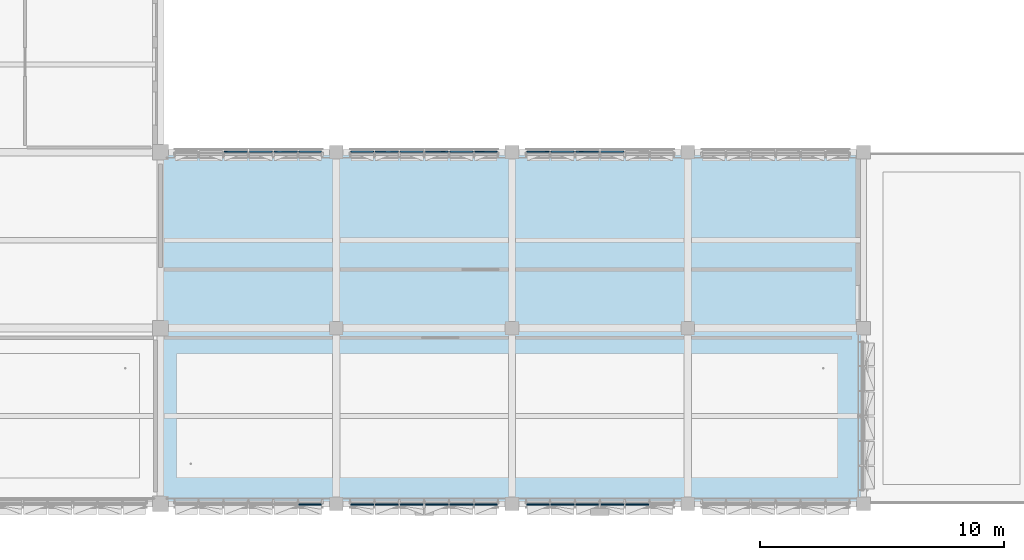
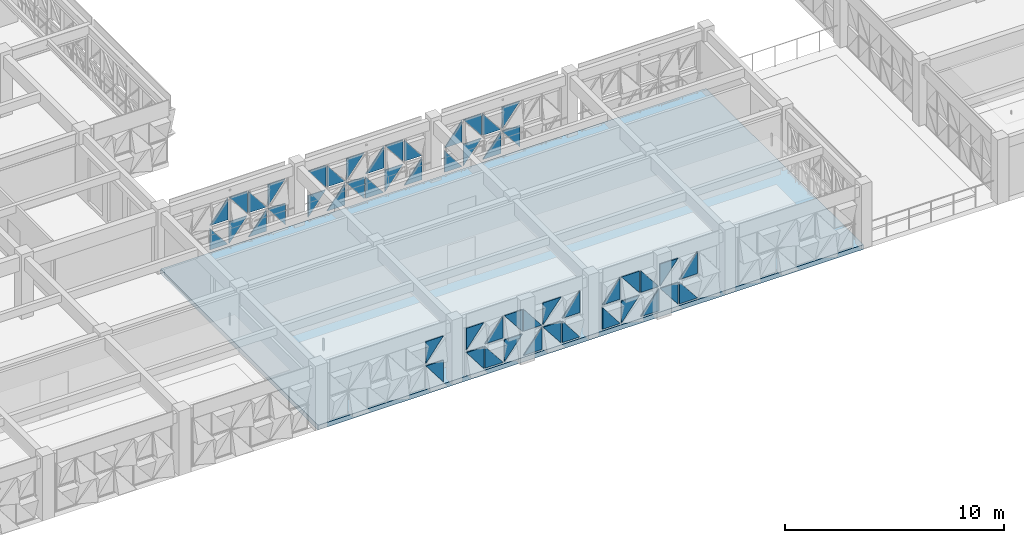
# One storey, part 31 of 85: 52 plates, 1 slab, 6 elements without a shape of their own.
"""IFC4 building model written with IfcOpenShell, lengths in metres."""

from ifc_helpers import new_model, si_unit, direction, frame, origin, place, context, subcontext, project, spatial, polyline, outline, extrude, material, layer, layer_set, type_object, element, aggregate, save


model = new_model("IFC4")

# Units and contexts
model_context = context("Model", 3, precision=1e-05, world=origin(), true_north=direction((0.0, 1.0)))
body_context = subcontext(model_context, "Body", "Model", "MODEL_VIEW")
ifc_project = project(units=[si_unit("LENGTHUNIT", "METRE"), si_unit("AREAUNIT", "SQUARE_METRE"), si_unit("VOLUMEUNIT", "CUBIC_METRE"), si_unit("PLANEANGLEUNIT", "RADIAN"), si_unit("MASSUNIT", "GRAM", prefix="KILO")], contexts=[model_context])

# Site, building, storey
site_placement = place(None, origin())
site = spatial("IfcSite", under=ifc_project, at=site_placement, CompositionType="ELEMENT")
building_placement = place(site_placement, origin())
building = spatial("IfcBuilding", under=site, at=building_placement, Name="Alvorim Cloister Faculty of Sciences", CompositionType="ELEMENT")
storey_placement = place(building_placement, frame((0.0, 0.0, 8.550048828125)))
storey = spatial("IfcBuildingStorey", under=building, at=storey_placement, Name="L02", CompositionType="ELEMENT", Elevation=8.550048828125)

# Curtain wall, plates
ifc_material_1 = material(Name="Aluminium and Low-E Glass Curtain Wall", Category="aluminium")
curtain_wall_type = type_object("IfcCurtainWallType", Name="CW-TRI-6120x2850", PredefinedType="USERDEFINED", material=ifc_material_1)
curtain_wall_1_placement = place(storey_placement, origin())
curtain_wall_1 = element("IfcCurtainWall", 1, at=curtain_wall_1_placement, inside=storey, type_object=curtain_wall_type, Name="L02 Diagonal Cassette Curtain Wall CW-0075", ObjectType="UNITISED CURTAIN WALL", PredefinedType="USERDEFINED")
ifc_material_2 = material(Name="Double Low-E Laminated Glass", Category="glass")
ifc_layer_1 = layer(ifc_material_2, 0.0400390625)
ifc_layer_set_1 = layer_set([ifc_layer_1], Name="Double Low-E Laminated Glass")
plate_type = type_object("IfcPlateType", Name="PN-GLZ-40", PredefinedType="CURTAIN_PANEL", material=ifc_layer_set_1)
plate_1_placement = place(storey_placement, frame((31.41259765625, 14.425048828125, 0.139892578125), z_axis=(0.0, 0.0, 1.0), x_axis=(1.0, 0.0, 0.0)))
plate_1 = element("IfcPlate", 2, at=plate_1_placement, type_object=plate_type, Name="Diagonal Glazed Triangle TRI-BL", PredefinedType="CURTAIN_PANEL", context=body_context, shape_type="SweptSolid", body=[
    extrude(outline(polyline([(0.0, 0.0), (0.953125, 0.0), (0.0, 1.213134765625), (0.0, 0.0)])), frame((0.0, 0.02490234375, 0.0), z_axis=(0.0, -1.0, 0.0), x_axis=(1.0, 0.0, 0.0)), (0.0, 0.0, 1.0), 0.050048828125),
])
plate_2_placement = place(storey_placement, frame((31.41259765625, 14.425048828125, 1.494873046875), z_axis=(0.0, 0.0, 1.0), x_axis=(1.0, 0.0, 0.0)))
plate_2 = element("IfcPlate", 3, at=plate_2_placement, type_object=plate_type, Name="Diagonal Glazed Triangle TRI-BR", PredefinedType="CURTAIN_PANEL", context=body_context, shape_type="SweptSolid", body=[
    extrude(outline(polyline([(0.001953125, 0.0), (0.955078125, 0.0), (0.955078125, 1.213134765625), (0.001953125, 0.0)])), frame((0.0, 0.02490234375, 0.0), z_axis=(0.0, -1.0, 0.0), x_axis=(1.0, 0.0, 0.0)), (0.0, 0.0, 1.0), 0.050048828125),
])
plate_3_placement = place(storey_placement, frame((32.4326171875, 14.425048828125, 0.139892578125), z_axis=(0.0, 0.0, 1.0), x_axis=(1.0, 0.0, 0.0)))
plate_3 = element("IfcPlate", 4, at=plate_3_placement, type_object=plate_type, Name="Diagonal Glazed Triangle TRI-TL", PredefinedType="CURTAIN_PANEL", context=body_context, shape_type="SweptSolid", body=[
    extrude(outline(polyline([(0.953125, 1.215087890625), (0.0, 1.215087890625), (0.0, 0.001953125), (0.953125, 1.215087890625)])), frame((0.0, 0.02490234375, 0.0), z_axis=(0.0, -1.0, 0.0), x_axis=(1.0, 0.0, 0.0)), (0.0, 0.0, 1.0), 0.050048828125),
])
plate_4_placement = place(storey_placement, frame((32.4326171875, 14.425048828125, 1.494873046875), z_axis=(0.0, 0.0, 1.0), x_axis=(1.0, 0.0, 0.0)))
plate_4 = element("IfcPlate", 5, at=plate_4_placement, type_object=plate_type, Name="Diagonal Glazed Triangle TRI-TR", PredefinedType="CURTAIN_PANEL", context=body_context, shape_type="SweptSolid", body=[
    extrude(outline(polyline([(0.955078125, 0.001953125), (0.955078125, 1.215087890625), (0.001953125, 1.215087890625), (0.955078125, 0.001953125)])), frame((0.0, 0.02490234375, 0.0), z_axis=(0.0, -1.0, 0.0), x_axis=(1.0, 0.0, 0.0)), (0.0, 0.0, 1.0), 0.050048828125),
])
plate_5_placement = place(storey_placement, frame((33.452392578125, 14.425048828125, 0.139892578125), z_axis=(0.0, 0.0, 1.0), x_axis=(1.0, 0.0, 0.0)))
plate_5 = element("IfcPlate", 6, at=plate_5_placement, type_object=plate_type, Name="Diagonal Glazed Triangle TRI-BR", PredefinedType="CURTAIN_PANEL", context=body_context, shape_type="SweptSolid", body=[
    extrude(outline(polyline([(0.001953125, 0.0), (0.955078125, 0.0), (0.955078125, 1.213134765625), (0.001953125, 0.0)])), frame((0.0, 0.02490234375, 0.0), z_axis=(0.0, -1.0, 0.0), x_axis=(1.0, 0.0, 0.0)), (0.0, 0.0, 1.0), 0.050048828125),
])
plate_6_placement = place(storey_placement, frame((33.452392578125, 14.425048828125, 1.494873046875), z_axis=(0.0, 0.0, 1.0), x_axis=(1.0, 0.0, 0.0)))
plate_6 = element("IfcPlate", 7, at=plate_6_placement, type_object=plate_type, Name="Diagonal Glazed Triangle TRI-BL", PredefinedType="CURTAIN_PANEL", context=body_context, shape_type="SweptSolid", body=[
    extrude(outline(polyline([(0.0, 0.0), (0.953125, 0.0), (0.0, 1.213134765625), (0.0, 0.0)])), frame((0.0, 0.02490234375, 0.0), z_axis=(0.0, -1.0, 0.0), x_axis=(1.0, 0.0, 0.0)), (0.0, 0.0, 1.0), 0.050048828125),
])
plate_7_placement = place(storey_placement, frame((34.472412109375, 14.425048828125, 0.139892578125), z_axis=(0.0, 0.0, 1.0), x_axis=(1.0, 0.0, 0.0)))
plate_7 = element("IfcPlate", 8, at=plate_7_placement, type_object=plate_type, Name="Diagonal Glazed Triangle TRI-TR", PredefinedType="CURTAIN_PANEL", context=body_context, shape_type="SweptSolid", body=[
    extrude(outline(polyline([(0.922607421875, 0.001953125), (0.922607421875, 1.215087890625), (0.001953125, 1.215087890625), (0.922607421875, 0.001953125)])), frame((0.0, 0.02490234375, 0.0), z_axis=(0.0, -1.0, 0.0), x_axis=(1.0, 0.0, 0.0)), (0.0, 0.0, 1.0), 0.050048828125),
])
plate_8_placement = place(storey_placement, frame((34.472412109375, 14.425048828125, 1.494873046875), z_axis=(0.0, 0.0, 1.0), x_axis=(1.0, 0.0, 0.0)))
plate_8 = element("IfcPlate", 9, at=plate_8_placement, type_object=plate_type, Name="Diagonal Glazed Triangle TRI-TL", PredefinedType="CURTAIN_PANEL", context=body_context, shape_type="SweptSolid", body=[
    extrude(outline(polyline([(0.920654296875, 1.215087890625), (0.0, 1.215087890625), (0.0, 0.001953125), (0.920654296875, 1.215087890625)])), frame((0.0, 0.02490234375, 0.0), z_axis=(0.0, -1.0, 0.0), x_axis=(1.0, 0.0, 0.0)), (0.0, 0.0, 1.0), 0.050048828125),
])
aggregate(curtain_wall_1, [plate_1, plate_2, plate_3, plate_4, plate_5, plate_6, plate_7, plate_8])

curtain_wall_2_placement = place(storey_placement, origin())
curtain_wall_2 = element("IfcCurtainWall", 10, at=curtain_wall_2_placement, inside=storey, type_object=curtain_wall_type, Name="L02 Diagonal Cassette Curtain Wall CW-0076", ObjectType="UNITISED CURTAIN WALL", PredefinedType="USERDEFINED")
plate_9_placement = place(storey_placement, frame((36.60498046875, 14.425048828125, 0.139892578125), z_axis=(0.0, 0.0, 1.0), x_axis=(1.0, 0.0, 0.0)))
plate_9 = element("IfcPlate", 11, at=plate_9_placement, type_object=plate_type, Name="Diagonal Glazed Triangle TRI-TL", PredefinedType="CURTAIN_PANEL", context=body_context, shape_type="SweptSolid", body=[
    extrude(outline(polyline([(0.920654296875, 1.215087890625), (0.0, 1.215087890625), (0.0, 0.001953125), (0.920654296875, 1.215087890625)])), frame((0.0, 0.02490234375, 0.0), z_axis=(0.0, -1.0, 0.0), x_axis=(1.0, 0.0, 0.0)), (0.0, 0.0, 1.0), 0.050048828125),
])
plate_10_placement = place(storey_placement, frame((36.60498046875, 14.425048828125, 1.494873046875), z_axis=(0.0, 0.0, 1.0), x_axis=(1.0, 0.0, 0.0)))
plate_10 = element("IfcPlate", 12, at=plate_10_placement, type_object=plate_type, Name="Diagonal Glazed Triangle TRI-TR", PredefinedType="CURTAIN_PANEL", context=body_context, shape_type="SweptSolid", body=[
    extrude(outline(polyline([(0.922607421875, 0.001953125), (0.922607421875, 1.215087890625), (0.001953125, 1.215087890625), (0.922607421875, 0.001953125)])), frame((0.0, 0.02490234375, 0.0), z_axis=(0.0, -1.0, 0.0), x_axis=(1.0, 0.0, 0.0)), (0.0, 0.0, 1.0), 0.050048828125),
])
plate_11_placement = place(storey_placement, frame((37.592529296875, 14.425048828125, 0.139892578125), z_axis=(0.0, 0.0, 1.0), x_axis=(1.0, 0.0, 0.0)))
plate_11 = element("IfcPlate", 13, at=plate_11_placement, type_object=plate_type, Name="Diagonal Glazed Triangle TRI-BR", PredefinedType="CURTAIN_PANEL", context=body_context, shape_type="SweptSolid", body=[
    extrude(outline(polyline([(0.001953125, 0.0), (0.955078125, 0.0), (0.955078125, 1.213134765625), (0.001953125, 0.0)])), frame((0.0, 0.02490234375, 0.0), z_axis=(0.0, -1.0, 0.0), x_axis=(1.0, 0.0, 0.0)), (0.0, 0.0, 1.0), 0.050048828125),
])
plate_12_placement = place(storey_placement, frame((37.592529296875, 14.425048828125, 1.494873046875), z_axis=(0.0, 0.0, 1.0), x_axis=(1.0, 0.0, 0.0)))
plate_12 = element("IfcPlate", 14, at=plate_12_placement, type_object=plate_type, Name="Diagonal Glazed Triangle TRI-BL", PredefinedType="CURTAIN_PANEL", context=body_context, shape_type="SweptSolid", body=[
    extrude(outline(polyline([(0.0, 0.0), (0.953125, 0.0), (0.0, 1.213134765625), (0.0, 0.0)])), frame((0.0, 0.02490234375, 0.0), z_axis=(0.0, -1.0, 0.0), x_axis=(1.0, 0.0, 0.0)), (0.0, 0.0, 1.0), 0.050048828125),
])
plate_13_placement = place(storey_placement, frame((38.612548828125, 14.425048828125, 0.139892578125), z_axis=(0.0, 0.0, 1.0), x_axis=(1.0, 0.0, 0.0)))
plate_13 = element("IfcPlate", 15, at=plate_13_placement, type_object=plate_type, Name="Diagonal Glazed Triangle TRI-TR", PredefinedType="CURTAIN_PANEL", context=body_context, shape_type="SweptSolid", body=[
    extrude(outline(polyline([(0.955078125, 0.001953125), (0.955078125, 1.215087890625), (0.001953125, 1.215087890625), (0.955078125, 0.001953125)])), frame((0.0, 0.02490234375, 0.0), z_axis=(0.0, -1.0, 0.0), x_axis=(1.0, 0.0, 0.0)), (0.0, 0.0, 1.0), 0.050048828125),
])
plate_14_placement = place(storey_placement, frame((38.612548828125, 14.425048828125, 1.494873046875), z_axis=(0.0, 0.0, 1.0), x_axis=(1.0, 0.0, 0.0)))
plate_14 = element("IfcPlate", 16, at=plate_14_placement, type_object=plate_type, Name="Diagonal Glazed Triangle TRI-TL", PredefinedType="CURTAIN_PANEL", context=body_context, shape_type="SweptSolid", body=[
    extrude(outline(polyline([(0.953125, 1.215087890625), (0.0, 1.215087890625), (0.0, 0.001953125), (0.953125, 1.215087890625)])), frame((0.0, 0.02490234375, 0.0), z_axis=(0.0, -1.0, 0.0), x_axis=(1.0, 0.0, 0.0)), (0.0, 0.0, 1.0), 0.050048828125),
])
plate_15_placement = place(storey_placement, frame((39.632568359375, 14.425048828125, 0.139892578125), z_axis=(0.0, 0.0, 1.0), x_axis=(1.0, 0.0, 0.0)))
plate_15 = element("IfcPlate", 17, at=plate_15_placement, type_object=plate_type, Name="Diagonal Glazed Triangle TRI-BL", PredefinedType="CURTAIN_PANEL", context=body_context, shape_type="SweptSolid", body=[
    extrude(outline(polyline([(0.0, 0.0), (0.953125, 0.0), (0.0, 1.213134765625), (0.0, 0.0)])), frame((0.0, 0.02490234375, 0.0), z_axis=(0.0, -1.0, 0.0), x_axis=(1.0, 0.0, 0.0)), (0.0, 0.0, 1.0), 0.050048828125),
])
plate_16_placement = place(storey_placement, frame((39.632568359375, 14.425048828125, 1.494873046875), z_axis=(0.0, 0.0, 1.0), x_axis=(1.0, 0.0, 0.0)))
plate_16 = element("IfcPlate", 18, at=plate_16_placement, type_object=plate_type, Name="Diagonal Glazed Triangle TRI-BR", PredefinedType="CURTAIN_PANEL", context=body_context, shape_type="SweptSolid", body=[
    extrude(outline(polyline([(0.001953125, 0.0), (0.955078125, 0.0), (0.955078125, 1.213134765625), (0.001953125, 0.0)])), frame((0.0, 0.02490234375, 0.0), z_axis=(0.0, -1.0, 0.0), x_axis=(1.0, 0.0, 0.0)), (0.0, 0.0, 1.0), 0.050048828125),
])
plate_17_placement = place(storey_placement, frame((40.652587890625, 14.425048828125, 0.139892578125), z_axis=(0.0, 0.0, 1.0), x_axis=(1.0, 0.0, 0.0)))
plate_17 = element("IfcPlate", 19, at=plate_17_placement, type_object=plate_type, Name="Diagonal Glazed Triangle TRI-TL", PredefinedType="CURTAIN_PANEL", context=body_context, shape_type="SweptSolid", body=[
    extrude(outline(polyline([(0.953125, 1.215087890625), (0.0, 1.215087890625), (0.0, 0.001953125), (0.953125, 1.215087890625)])), frame((0.0, 0.02490234375, 0.0), z_axis=(0.0, -1.0, 0.0), x_axis=(1.0, 0.0, 0.0)), (0.0, 0.0, 1.0), 0.050048828125),
])
plate_18_placement = place(storey_placement, frame((40.652587890625, 14.425048828125, 1.494873046875), z_axis=(0.0, 0.0, 1.0), x_axis=(1.0, 0.0, 0.0)))
plate_18 = element("IfcPlate", 20, at=plate_18_placement, type_object=plate_type, Name="Diagonal Glazed Triangle TRI-TR", PredefinedType="CURTAIN_PANEL", context=body_context, shape_type="SweptSolid", body=[
    extrude(outline(polyline([(0.955078125, 0.001953125), (0.955078125, 1.215087890625), (0.001953125, 1.215087890625), (0.955078125, 0.001953125)])), frame((0.0, 0.02490234375, 0.0), z_axis=(0.0, -1.0, 0.0), x_axis=(1.0, 0.0, 0.0)), (0.0, 0.0, 1.0), 0.050048828125),
])
plate_19_placement = place(storey_placement, frame((41.672607421875, 14.425048828125, 0.139892578125), z_axis=(0.0, 0.0, 1.0), x_axis=(1.0, 0.0, 0.0)))
plate_19 = element("IfcPlate", 21, at=plate_19_placement, type_object=plate_type, Name="Diagonal Glazed Triangle TRI-BR", PredefinedType="CURTAIN_PANEL", context=body_context, shape_type="SweptSolid", body=[
    extrude(outline(polyline([(0.001953125, 0.0), (0.922607421875, 0.0), (0.922607421875, 1.213134765625), (0.001953125, 0.0)])), frame((0.0, 0.02490234375, 0.0), z_axis=(0.0, -1.0, 0.0), x_axis=(1.0, 0.0, 0.0)), (0.0, 0.0, 1.0), 0.050048828125),
])
plate_20_placement = place(storey_placement, frame((41.672607421875, 14.425048828125, 1.494873046875), z_axis=(0.0, 0.0, 1.0), x_axis=(1.0, 0.0, 0.0)))
plate_20 = element("IfcPlate", 22, at=plate_20_placement, type_object=plate_type, Name="Diagonal Glazed Triangle TRI-BL", PredefinedType="CURTAIN_PANEL", context=body_context, shape_type="SweptSolid", body=[
    extrude(outline(polyline([(0.0, 0.0), (0.920654296875, 0.0), (0.0, 1.213134765625), (0.0, 0.0)])), frame((0.0, 0.02490234375, 0.0), z_axis=(0.0, -1.0, 0.0), x_axis=(1.0, 0.0, 0.0)), (0.0, 0.0, 1.0), 0.050048828125),
])
aggregate(curtain_wall_2, [plate_9, plate_10, plate_11, plate_12, plate_13, plate_14, plate_15, plate_16, plate_17, plate_18, plate_19, plate_20])

curtain_wall_3_placement = place(storey_placement, origin())
curtain_wall_3 = element("IfcCurtainWall", 23, at=curtain_wall_3_placement, inside=storey, type_object=curtain_wall_type, Name="L02 Diagonal Cassette Curtain Wall CW-0077", ObjectType="UNITISED CURTAIN WALL", PredefinedType="USERDEFINED")
plate_21_placement = place(storey_placement, frame((43.804931640625, 14.425048828125, 0.139892578125), z_axis=(0.0, 0.0, 1.0), x_axis=(1.0, 0.0, 0.0)))
plate_21 = element("IfcPlate", 24, at=plate_21_placement, type_object=plate_type, Name="Diagonal Glazed Triangle TRI-BL", PredefinedType="CURTAIN_PANEL", context=body_context, shape_type="SweptSolid", body=[
    extrude(outline(polyline([(0.0, 0.0), (0.920654296875, 0.0), (0.0, 1.213134765625), (0.0, 0.0)])), frame((0.0, 0.02490234375, 0.0), z_axis=(0.0, -1.0, 0.0), x_axis=(1.0, 0.0, 0.0)), (0.0, 0.0, 1.0), 0.050048828125),
])
plate_22_placement = place(storey_placement, frame((43.804931640625, 14.425048828125, 1.494873046875), z_axis=(0.0, 0.0, 1.0), x_axis=(1.0, 0.0, 0.0)))
plate_22 = element("IfcPlate", 25, at=plate_22_placement, type_object=plate_type, Name="Diagonal Glazed Triangle TRI-BR", PredefinedType="CURTAIN_PANEL", context=body_context, shape_type="SweptSolid", body=[
    extrude(outline(polyline([(0.001953125, 0.0), (0.922607421875, 0.0), (0.922607421875, 1.213134765625), (0.001953125, 0.0)])), frame((0.0, 0.02490234375, 0.0), z_axis=(0.0, -1.0, 0.0), x_axis=(1.0, 0.0, 0.0)), (0.0, 0.0, 1.0), 0.050048828125),
])
plate_23_placement = place(storey_placement, frame((44.79248046875, 14.425048828125, 0.139892578125), z_axis=(0.0, 0.0, 1.0), x_axis=(1.0, 0.0, 0.0)))
plate_23 = element("IfcPlate", 26, at=plate_23_placement, type_object=plate_type, Name="Diagonal Glazed Triangle TRI-TL", PredefinedType="CURTAIN_PANEL", context=body_context, shape_type="SweptSolid", body=[
    extrude(outline(polyline([(0.953125, 1.215087890625), (0.0, 1.215087890625), (0.0, 0.001953125), (0.953125, 1.215087890625)])), frame((0.0, 0.02490234375, 0.0), z_axis=(0.0, -1.0, 0.0), x_axis=(1.0, 0.0, 0.0)), (0.0, 0.0, 1.0), 0.050048828125),
])
plate_24_placement = place(storey_placement, frame((44.79248046875, 14.425048828125, 1.494873046875), z_axis=(0.0, 0.0, 1.0), x_axis=(1.0, 0.0, 0.0)))
plate_24 = element("IfcPlate", 27, at=plate_24_placement, type_object=plate_type, Name="Diagonal Glazed Triangle TRI-TR", PredefinedType="CURTAIN_PANEL", context=body_context, shape_type="SweptSolid", body=[
    extrude(outline(polyline([(0.955078125, 0.001953125), (0.955078125, 1.215087890625), (0.001953125, 1.215087890625), (0.955078125, 0.001953125)])), frame((0.0, 0.02490234375, 0.0), z_axis=(0.0, -1.0, 0.0), x_axis=(1.0, 0.0, 0.0)), (0.0, 0.0, 1.0), 0.050048828125),
])
plate_25_placement = place(storey_placement, frame((45.8125, 14.425048828125, 0.139892578125), z_axis=(0.0, 0.0, 1.0), x_axis=(1.0, 0.0, 0.0)))
plate_25 = element("IfcPlate", 28, at=plate_25_placement, type_object=plate_type, Name="Diagonal Glazed Triangle TRI-BR", PredefinedType="CURTAIN_PANEL", context=body_context, shape_type="SweptSolid", body=[
    extrude(outline(polyline([(0.001953125, 0.0), (0.955078125, 0.0), (0.955078125, 1.213134765625), (0.001953125, 0.0)])), frame((0.0, 0.02490234375, 0.0), z_axis=(0.0, -1.0, 0.0), x_axis=(1.0, 0.0, 0.0)), (0.0, 0.0, 1.0), 0.050048828125),
])
plate_26_placement = place(storey_placement, frame((45.8125, 14.425048828125, 1.494873046875), z_axis=(0.0, 0.0, 1.0), x_axis=(1.0, 0.0, 0.0)))
plate_26 = element("IfcPlate", 29, at=plate_26_placement, type_object=plate_type, Name="Diagonal Glazed Triangle TRI-BL", PredefinedType="CURTAIN_PANEL", context=body_context, shape_type="SweptSolid", body=[
    extrude(outline(polyline([(0.0, 0.0), (0.953125, 0.0), (0.0, 1.213134765625), (0.0, 0.0)])), frame((0.0, 0.02490234375, 0.0), z_axis=(0.0, -1.0, 0.0), x_axis=(1.0, 0.0, 0.0)), (0.0, 0.0, 1.0), 0.050048828125),
])
plate_27_placement = place(storey_placement, frame((46.83251953125, 14.425048828125, 0.139892578125), z_axis=(0.0, 0.0, 1.0), x_axis=(1.0, 0.0, 0.0)))
plate_27 = element("IfcPlate", 30, at=plate_27_placement, type_object=plate_type, Name="Diagonal Glazed Triangle TRI-TR", PredefinedType="CURTAIN_PANEL", context=body_context, shape_type="SweptSolid", body=[
    extrude(outline(polyline([(0.955078125, 0.001953125), (0.955078125, 1.215087890625), (0.001953125, 1.215087890625), (0.955078125, 0.001953125)])), frame((0.0, 0.02490234375, 0.0), z_axis=(0.0, -1.0, 0.0), x_axis=(1.0, 0.0, 0.0)), (0.0, 0.0, 1.0), 0.050048828125),
])
plate_28_placement = place(storey_placement, frame((46.83251953125, 14.425048828125, 1.494873046875), z_axis=(0.0, 0.0, 1.0), x_axis=(1.0, 0.0, 0.0)))
plate_28 = element("IfcPlate", 31, at=plate_28_placement, type_object=plate_type, Name="Diagonal Glazed Triangle TRI-TL", PredefinedType="CURTAIN_PANEL", context=body_context, shape_type="SweptSolid", body=[
    extrude(outline(polyline([(0.953125, 1.215087890625), (0.0, 1.215087890625), (0.0, 0.001953125), (0.953125, 1.215087890625)])), frame((0.0, 0.02490234375, 0.0), z_axis=(0.0, -1.0, 0.0), x_axis=(1.0, 0.0, 0.0)), (0.0, 0.0, 1.0), 0.050048828125),
])
aggregate(curtain_wall_3, [plate_21, plate_22, plate_23, plate_24, plate_25, plate_26, plate_27, plate_28])

curtain_wall_4_placement = place(storey_placement, origin())
curtain_wall_4 = element("IfcCurtainWall", 32, at=curtain_wall_4_placement, inside=storey, type_object=curtain_wall_type, Name="L02 Diagonal Cassette Curtain Wall CW-0081", ObjectType="UNITISED CURTAIN WALL", PredefinedType="USERDEFINED")
plate_29_placement = place(storey_placement, frame((43.804931640625, -0.02490234375, 0.139892578125), z_axis=(0.0, 0.0, 1.0), x_axis=(1.0, 0.0, 0.0)))
plate_29 = element("IfcPlate", 33, at=plate_29_placement, type_object=plate_type, Name="Diagonal Glazed Triangle TRI-BL", PredefinedType="CURTAIN_PANEL", context=body_context, shape_type="SweptSolid", body=[
    extrude(outline(polyline([(0.0, 0.0), (0.920654296875, 0.0), (0.0, 1.213134765625), (0.0, 0.0)])), frame((0.0, 0.02490234375, 0.0), z_axis=(0.0, -1.0, 0.0), x_axis=(1.0, 0.0, 0.0)), (0.0, 0.0, 1.0), 0.050048828125),
])
plate_30_placement = place(storey_placement, frame((43.804931640625, -0.02490234375, 1.494873046875), z_axis=(0.0, 0.0, 1.0), x_axis=(1.0, 0.0, 0.0)))
plate_30 = element("IfcPlate", 34, at=plate_30_placement, type_object=plate_type, Name="Diagonal Glazed Triangle TRI-BR", PredefinedType="CURTAIN_PANEL", context=body_context, shape_type="SweptSolid", body=[
    extrude(outline(polyline([(0.001953125, 0.0), (0.922607421875, 0.0), (0.922607421875, 1.213134765625), (0.001953125, 0.0)])), frame((0.0, 0.02490234375, 0.0), z_axis=(0.0, -1.0, 0.0), x_axis=(1.0, 0.0, 0.0)), (0.0, 0.0, 1.0), 0.050048828125),
])
plate_31_placement = place(storey_placement, frame((44.79248046875, -0.02490234375, 0.139892578125), z_axis=(0.0, 0.0, 1.0), x_axis=(1.0, 0.0, 0.0)))
plate_31 = element("IfcPlate", 35, at=plate_31_placement, type_object=plate_type, Name="Diagonal Glazed Triangle TRI-TL", PredefinedType="CURTAIN_PANEL", context=body_context, shape_type="SweptSolid", body=[
    extrude(outline(polyline([(0.953125, 1.215087890625), (0.0, 1.215087890625), (0.0, 0.001953125), (0.953125, 1.215087890625)])), frame((0.0, 0.02490234375, 0.0), z_axis=(0.0, -1.0, 0.0), x_axis=(1.0, 0.0, 0.0)), (0.0, 0.0, 1.0), 0.050048828125),
])
plate_32_placement = place(storey_placement, frame((44.79248046875, -0.02490234375, 1.494873046875), z_axis=(0.0, 0.0, 1.0), x_axis=(1.0, 0.0, 0.0)))
plate_32 = element("IfcPlate", 36, at=plate_32_placement, type_object=plate_type, Name="Diagonal Glazed Triangle TRI-TR", PredefinedType="CURTAIN_PANEL", context=body_context, shape_type="SweptSolid", body=[
    extrude(outline(polyline([(0.955078125, 0.001953125), (0.955078125, 1.215087890625), (0.001953125, 1.215087890625), (0.955078125, 0.001953125)])), frame((0.0, 0.02490234375, 0.0), z_axis=(0.0, -1.0, 0.0), x_axis=(1.0, 0.0, 0.0)), (0.0, 0.0, 1.0), 0.050048828125),
])
plate_33_placement = place(storey_placement, frame((45.8125, -0.02490234375, 0.139892578125), z_axis=(0.0, 0.0, 1.0), x_axis=(1.0, 0.0, 0.0)))
plate_33 = element("IfcPlate", 37, at=plate_33_placement, type_object=plate_type, Name="Diagonal Glazed Triangle TRI-BR", PredefinedType="CURTAIN_PANEL", context=body_context, shape_type="SweptSolid", body=[
    extrude(outline(polyline([(0.001953125, 0.0), (0.955078125, 0.0), (0.955078125, 1.213134765625), (0.001953125, 0.0)])), frame((0.0, 0.02490234375, 0.0), z_axis=(0.0, -1.0, 0.0), x_axis=(1.0, 0.0, 0.0)), (0.0, 0.0, 1.0), 0.050048828125),
])
plate_34_placement = place(storey_placement, frame((45.8125, -0.02490234375, 1.494873046875), z_axis=(0.0, 0.0, 1.0), x_axis=(1.0, 0.0, 0.0)))
plate_34 = element("IfcPlate", 38, at=plate_34_placement, type_object=plate_type, Name="Diagonal Glazed Triangle TRI-BL", PredefinedType="CURTAIN_PANEL", context=body_context, shape_type="SweptSolid", body=[
    extrude(outline(polyline([(0.0, 0.0), (0.953125, 0.0), (0.0, 1.213134765625), (0.0, 0.0)])), frame((0.0, 0.02490234375, 0.0), z_axis=(0.0, -1.0, 0.0), x_axis=(1.0, 0.0, 0.0)), (0.0, 0.0, 1.0), 0.050048828125),
])
plate_35_placement = place(storey_placement, frame((46.83251953125, -0.02490234375, 0.139892578125), z_axis=(0.0, 0.0, 1.0), x_axis=(1.0, 0.0, 0.0)))
plate_35 = element("IfcPlate", 39, at=plate_35_placement, type_object=plate_type, Name="Diagonal Glazed Triangle TRI-TR", PredefinedType="CURTAIN_PANEL", context=body_context, shape_type="SweptSolid", body=[
    extrude(outline(polyline([(0.955078125, 0.001953125), (0.955078125, 1.215087890625), (0.001953125, 1.215087890625), (0.955078125, 0.001953125)])), frame((0.0, 0.02490234375, 0.0), z_axis=(0.0, -1.0, 0.0), x_axis=(1.0, 0.0, 0.0)), (0.0, 0.0, 1.0), 0.050048828125),
])
plate_36_placement = place(storey_placement, frame((46.83251953125, -0.02490234375, 1.494873046875), z_axis=(0.0, 0.0, 1.0), x_axis=(1.0, 0.0, 0.0)))
plate_36 = element("IfcPlate", 40, at=plate_36_placement, type_object=plate_type, Name="Diagonal Glazed Triangle TRI-TL", PredefinedType="CURTAIN_PANEL", context=body_context, shape_type="SweptSolid", body=[
    extrude(outline(polyline([(0.953125, 1.215087890625), (0.0, 1.215087890625), (0.0, 0.001953125), (0.953125, 1.215087890625)])), frame((0.0, 0.02490234375, 0.0), z_axis=(0.0, -1.0, 0.0), x_axis=(1.0, 0.0, 0.0)), (0.0, 0.0, 1.0), 0.050048828125),
])
plate_37_placement = place(storey_placement, frame((47.8525390625, -0.02490234375, 0.139892578125), z_axis=(0.0, 0.0, 1.0), x_axis=(1.0, 0.0, 0.0)))
plate_37 = element("IfcPlate", 41, at=plate_37_placement, type_object=plate_type, Name="Diagonal Glazed Triangle TRI-BL", PredefinedType="CURTAIN_PANEL", context=body_context, shape_type="SweptSolid", body=[
    extrude(outline(polyline([(0.0, 0.0), (0.953125, 0.0), (0.0, 1.213134765625), (0.0, 0.0)])), frame((0.0, 0.02490234375, 0.0), z_axis=(0.0, -1.0, 0.0), x_axis=(1.0, 0.0, 0.0)), (0.0, 0.0, 1.0), 0.050048828125),
])
plate_38_placement = place(storey_placement, frame((47.8525390625, -0.02490234375, 1.494873046875), z_axis=(0.0, 0.0, 1.0), x_axis=(1.0, 0.0, 0.0)))
plate_38 = element("IfcPlate", 42, at=plate_38_placement, type_object=plate_type, Name="Diagonal Glazed Triangle TRI-BR", PredefinedType="CURTAIN_PANEL", context=body_context, shape_type="SweptSolid", body=[
    extrude(outline(polyline([(0.001953125, 0.0), (0.955078125, 0.0), (0.955078125, 1.213134765625), (0.001953125, 0.0)])), frame((0.0, 0.02490234375, 0.0), z_axis=(0.0, -1.0, 0.0), x_axis=(1.0, 0.0, 0.0)), (0.0, 0.0, 1.0), 0.050048828125),
])
aggregate(curtain_wall_4, [plate_29, plate_30, plate_31, plate_32, plate_33, plate_34, plate_35, plate_36, plate_37, plate_38])

curtain_wall_5_placement = place(storey_placement, origin())
curtain_wall_5 = element("IfcCurtainWall", 43, at=curtain_wall_5_placement, inside=storey, type_object=curtain_wall_type, Name="L02 Diagonal Cassette Curtain Wall CW-0082", ObjectType="UNITISED CURTAIN WALL", PredefinedType="USERDEFINED")
plate_39_placement = place(storey_placement, frame((36.60498046875, -0.02490234375, 0.139892578125), z_axis=(0.0, 0.0, 1.0), x_axis=(1.0, 0.0, 0.0)))
plate_39 = element("IfcPlate", 44, at=plate_39_placement, type_object=plate_type, Name="Diagonal Glazed Triangle TRI-TR", PredefinedType="CURTAIN_PANEL", context=body_context, shape_type="SweptSolid", body=[
    extrude(outline(polyline([(0.922607421875, 0.001953125), (0.922607421875, 1.215087890625), (0.001953125, 1.215087890625), (0.922607421875, 0.001953125)])), frame((0.0, 0.02490234375, 0.0), z_axis=(0.0, -1.0, 0.0), x_axis=(1.0, 0.0, 0.0)), (0.0, 0.0, 1.0), 0.050048828125),
])
plate_40_placement = place(storey_placement, frame((36.60498046875, -0.02490234375, 1.494873046875), z_axis=(0.0, 0.0, 1.0), x_axis=(1.0, 0.0, 0.0)))
plate_40 = element("IfcPlate", 45, at=plate_40_placement, type_object=plate_type, Name="Diagonal Glazed Triangle TRI-TL", PredefinedType="CURTAIN_PANEL", context=body_context, shape_type="SweptSolid", body=[
    extrude(outline(polyline([(0.920654296875, 1.215087890625), (0.0, 1.215087890625), (0.0, 0.001953125), (0.920654296875, 1.215087890625)])), frame((0.0, 0.02490234375, 0.0), z_axis=(0.0, -1.0, 0.0), x_axis=(1.0, 0.0, 0.0)), (0.0, 0.0, 1.0), 0.050048828125),
])
plate_41_placement = place(storey_placement, frame((37.592529296875, -0.02490234375, 0.139892578125), z_axis=(0.0, 0.0, 1.0), x_axis=(1.0, 0.0, 0.0)))
plate_41 = element("IfcPlate", 46, at=plate_41_placement, type_object=plate_type, Name="Diagonal Glazed Triangle TRI-BL", PredefinedType="CURTAIN_PANEL", context=body_context, shape_type="SweptSolid", body=[
    extrude(outline(polyline([(0.0, 0.0), (0.953125, 0.0), (0.0, 1.213134765625), (0.0, 0.0)])), frame((0.0, 0.02490234375, 0.0), z_axis=(0.0, -1.0, 0.0), x_axis=(1.0, 0.0, 0.0)), (0.0, 0.0, 1.0), 0.050048828125),
])
plate_42_placement = place(storey_placement, frame((37.592529296875, -0.02490234375, 1.494873046875), z_axis=(0.0, 0.0, 1.0), x_axis=(1.0, 0.0, 0.0)))
plate_42 = element("IfcPlate", 47, at=plate_42_placement, type_object=plate_type, Name="Diagonal Glazed Triangle TRI-BR", PredefinedType="CURTAIN_PANEL", context=body_context, shape_type="SweptSolid", body=[
    extrude(outline(polyline([(0.001953125, 0.0), (0.955078125, 0.0), (0.955078125, 1.213134765625), (0.001953125, 0.0)])), frame((0.0, 0.02490234375, 0.0), z_axis=(0.0, -1.0, 0.0), x_axis=(1.0, 0.0, 0.0)), (0.0, 0.0, 1.0), 0.050048828125),
])
plate_43_placement = place(storey_placement, frame((38.612548828125, -0.02490234375, 0.139892578125), z_axis=(0.0, 0.0, 1.0), x_axis=(1.0, 0.0, 0.0)))
plate_43 = element("IfcPlate", 48, at=plate_43_placement, type_object=plate_type, Name="Diagonal Glazed Triangle TRI-TL", PredefinedType="CURTAIN_PANEL", context=body_context, shape_type="SweptSolid", body=[
    extrude(outline(polyline([(0.953125, 1.215087890625), (0.0, 1.215087890625), (0.0, 0.001953125), (0.953125, 1.215087890625)])), frame((0.0, 0.02490234375, 0.0), z_axis=(0.0, -1.0, 0.0), x_axis=(1.0, 0.0, 0.0)), (0.0, 0.0, 1.0), 0.050048828125),
])
plate_44_placement = place(storey_placement, frame((38.612548828125, -0.02490234375, 1.494873046875), z_axis=(0.0, 0.0, 1.0), x_axis=(1.0, 0.0, 0.0)))
plate_44 = element("IfcPlate", 49, at=plate_44_placement, type_object=plate_type, Name="Diagonal Glazed Triangle TRI-TR", PredefinedType="CURTAIN_PANEL", context=body_context, shape_type="SweptSolid", body=[
    extrude(outline(polyline([(0.955078125, 0.001953125), (0.955078125, 1.215087890625), (0.001953125, 1.215087890625), (0.955078125, 0.001953125)])), frame((0.0, 0.02490234375, 0.0), z_axis=(0.0, -1.0, 0.0), x_axis=(1.0, 0.0, 0.0)), (0.0, 0.0, 1.0), 0.050048828125),
])
plate_45_placement = place(storey_placement, frame((39.632568359375, -0.02490234375, 0.139892578125), z_axis=(0.0, 0.0, 1.0), x_axis=(1.0, 0.0, 0.0)))
plate_45 = element("IfcPlate", 50, at=plate_45_placement, type_object=plate_type, Name="Diagonal Glazed Triangle TRI-BR", PredefinedType="CURTAIN_PANEL", context=body_context, shape_type="SweptSolid", body=[
    extrude(outline(polyline([(0.001953125, 0.0), (0.955078125, 0.0), (0.955078125, 1.213134765625), (0.001953125, 0.0)])), frame((0.0, 0.02490234375, 0.0), z_axis=(0.0, -1.0, 0.0), x_axis=(1.0, 0.0, 0.0)), (0.0, 0.0, 1.0), 0.050048828125),
])
plate_46_placement = place(storey_placement, frame((39.632568359375, -0.02490234375, 1.494873046875), z_axis=(0.0, 0.0, 1.0), x_axis=(1.0, 0.0, 0.0)))
plate_46 = element("IfcPlate", 51, at=plate_46_placement, type_object=plate_type, Name="Diagonal Glazed Triangle TRI-BL", PredefinedType="CURTAIN_PANEL", context=body_context, shape_type="SweptSolid", body=[
    extrude(outline(polyline([(0.0, 0.0), (0.953125, 0.0), (0.0, 1.213134765625), (0.0, 0.0)])), frame((0.0, 0.02490234375, 0.0), z_axis=(0.0, -1.0, 0.0), x_axis=(1.0, 0.0, 0.0)), (0.0, 0.0, 1.0), 0.050048828125),
])
plate_47_placement = place(storey_placement, frame((40.652587890625, -0.02490234375, 0.139892578125), z_axis=(0.0, 0.0, 1.0), x_axis=(1.0, 0.0, 0.0)))
plate_47 = element("IfcPlate", 52, at=plate_47_placement, type_object=plate_type, Name="Diagonal Glazed Triangle TRI-TR", PredefinedType="CURTAIN_PANEL", context=body_context, shape_type="SweptSolid", body=[
    extrude(outline(polyline([(0.955078125, 0.001953125), (0.955078125, 1.215087890625), (0.001953125, 1.215087890625), (0.955078125, 0.001953125)])), frame((0.0, 0.02490234375, 0.0), z_axis=(0.0, -1.0, 0.0), x_axis=(1.0, 0.0, 0.0)), (0.0, 0.0, 1.0), 0.050048828125),
])
plate_48_placement = place(storey_placement, frame((40.652587890625, -0.02490234375, 1.494873046875), z_axis=(0.0, 0.0, 1.0), x_axis=(1.0, 0.0, 0.0)))
plate_48 = element("IfcPlate", 53, at=plate_48_placement, type_object=plate_type, Name="Diagonal Glazed Triangle TRI-TL", PredefinedType="CURTAIN_PANEL", context=body_context, shape_type="SweptSolid", body=[
    extrude(outline(polyline([(0.953125, 1.215087890625), (0.0, 1.215087890625), (0.0, 0.001953125), (0.953125, 1.215087890625)])), frame((0.0, 0.02490234375, 0.0), z_axis=(0.0, -1.0, 0.0), x_axis=(1.0, 0.0, 0.0)), (0.0, 0.0, 1.0), 0.050048828125),
])
plate_49_placement = place(storey_placement, frame((41.672607421875, -0.02490234375, 0.139892578125), z_axis=(0.0, 0.0, 1.0), x_axis=(1.0, 0.0, 0.0)))
plate_49 = element("IfcPlate", 54, at=plate_49_placement, type_object=plate_type, Name="Diagonal Glazed Triangle TRI-BL", PredefinedType="CURTAIN_PANEL", context=body_context, shape_type="SweptSolid", body=[
    extrude(outline(polyline([(0.0, 0.0), (0.920654296875, 0.0), (0.0, 1.213134765625), (0.0, 0.0)])), frame((0.0, 0.02490234375, 0.0), z_axis=(0.0, -1.0, 0.0), x_axis=(1.0, 0.0, 0.0)), (0.0, 0.0, 1.0), 0.050048828125),
])
plate_50_placement = place(storey_placement, frame((41.672607421875, -0.02490234375, 1.494873046875), z_axis=(0.0, 0.0, 1.0), x_axis=(1.0, 0.0, 0.0)))
plate_50 = element("IfcPlate", 55, at=plate_50_placement, type_object=plate_type, Name="Diagonal Glazed Triangle TRI-BR", PredefinedType="CURTAIN_PANEL", context=body_context, shape_type="SweptSolid", body=[
    extrude(outline(polyline([(0.001953125, 0.0), (0.922607421875, 0.0), (0.922607421875, 1.213134765625), (0.001953125, 0.0)])), frame((0.0, 0.02490234375, 0.0), z_axis=(0.0, -1.0, 0.0), x_axis=(1.0, 0.0, 0.0)), (0.0, 0.0, 1.0), 0.050048828125),
])
aggregate(curtain_wall_5, [plate_39, plate_40, plate_41, plate_42, plate_43, plate_44, plate_45, plate_46, plate_47, plate_48, plate_49, plate_50])

curtain_wall_6_placement = place(storey_placement, origin())
curtain_wall_6 = element("IfcCurtainWall", 56, at=curtain_wall_6_placement, inside=storey, type_object=curtain_wall_type, Name="L02 Diagonal Cassette Curtain Wall CW-0083", ObjectType="UNITISED CURTAIN WALL", PredefinedType="USERDEFINED")
plate_51_placement = place(storey_placement, frame((34.472412109375, -0.02490234375, 0.139892578125), z_axis=(0.0, 0.0, 1.0), x_axis=(1.0, 0.0, 0.0)))
plate_51 = element("IfcPlate", 57, at=plate_51_placement, type_object=plate_type, Name="Diagonal Glazed Triangle TRI-TR", PredefinedType="CURTAIN_PANEL", context=body_context, shape_type="SweptSolid", body=[
    extrude(outline(polyline([(0.922607421875, 0.001953125), (0.922607421875, 1.215087890625), (0.001953125, 1.215087890625), (0.922607421875, 0.001953125)])), frame((0.0, 0.02490234375, 0.0), z_axis=(0.0, -1.0, 0.0), x_axis=(1.0, 0.0, 0.0)), (0.0, 0.0, 1.0), 0.050048828125),
])
plate_52_placement = place(storey_placement, frame((34.472412109375, -0.02490234375, 1.494873046875), z_axis=(0.0, 0.0, 1.0), x_axis=(1.0, 0.0, 0.0)))
plate_52 = element("IfcPlate", 58, at=plate_52_placement, type_object=plate_type, Name="Diagonal Glazed Triangle TRI-TL", PredefinedType="CURTAIN_PANEL", context=body_context, shape_type="SweptSolid", body=[
    extrude(outline(polyline([(0.920654296875, 1.215087890625), (0.0, 1.215087890625), (0.0, 0.001953125), (0.920654296875, 1.215087890625)])), frame((0.0, 0.02490234375, 0.0), z_axis=(0.0, -1.0, 0.0), x_axis=(1.0, 0.0, 0.0)), (0.0, 0.0, 1.0), 0.050048828125),
])
aggregate(curtain_wall_6, [plate_51, plate_52])

# Slab
ifc_material_3 = material(Name="Concrete C40", Category="concrete")
ifc_layer_2 = layer(ifc_material_3, 0.260009765625)
ifc_layer_set_2 = layer_set([ifc_layer_2], Name="Concrete C40")
slab_type = type_object("IfcSlabType", Name="SL-RC-260", PredefinedType="FLOOR", material=ifc_layer_set_2)
slab_placement = place(storey_placement, frame((0.0, 0.0, -0.260009765625)))
element("IfcSlab", 59, at=slab_placement, inside=storey, type_object=slab_type, Name="L02 V4 Structural Slab 19", PredefinedType="FLOOR", context=body_context, shape_type="SweptSolid", body=[
    extrude(outline(polyline([(28.804931640625, 14.39501953125), (57.594970703125, 14.39501953125), (57.594970703125, 0.0048828125), (28.804931640625, 0.0048828125), (28.804931640625, 14.39501953125)])), origin(), (0.0, 0.0, 1.0), 0.260009765625),
])

save(model, "model.ifc")
